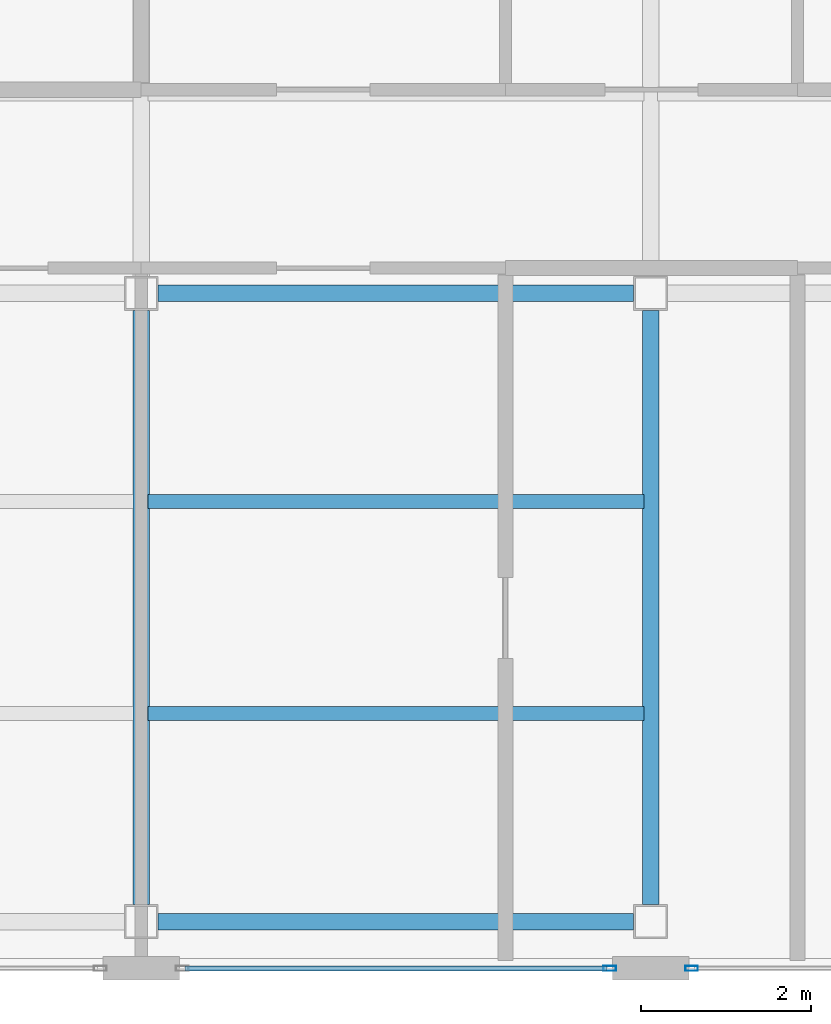
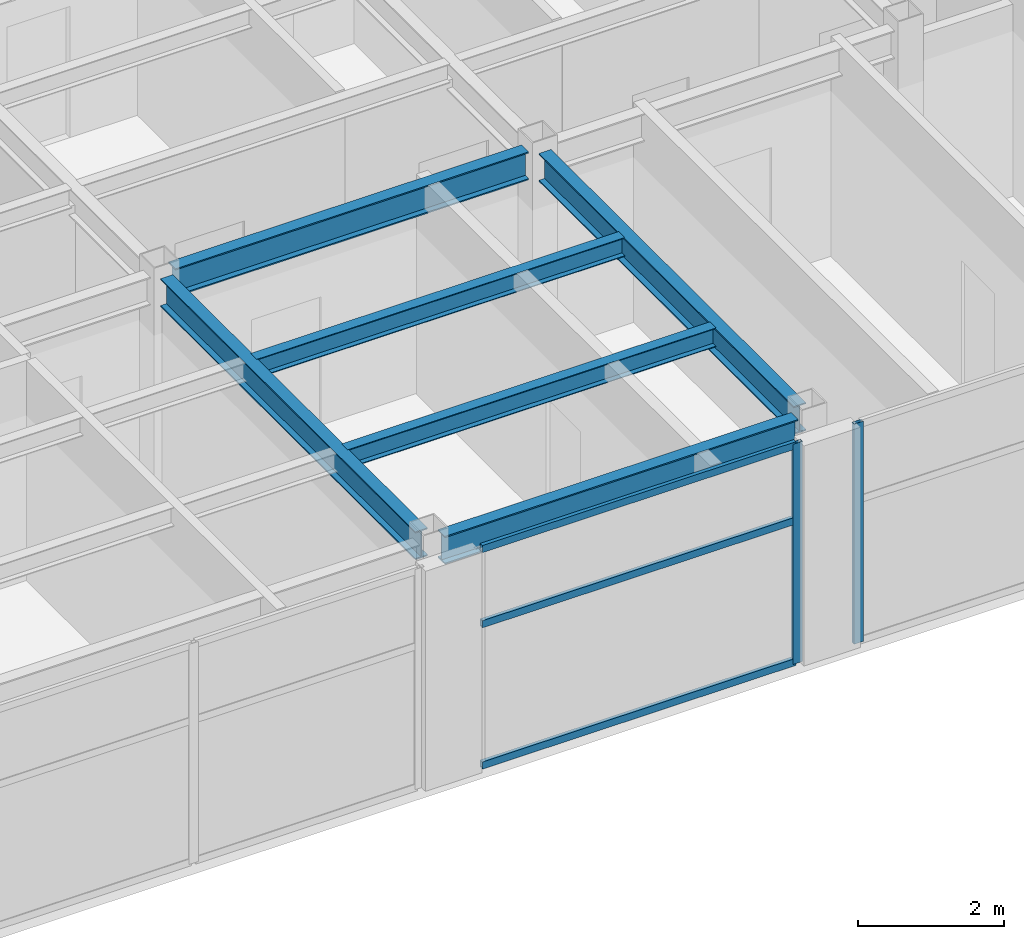
# One storey, part 5 of 15: 6 beams, 5 members, 2 elements without a shape of their own.
"""IFC4 building model written with IfcOpenShell, lengths in metres."""

import ifcopenshell
import ifcopenshell.guid

model = None  # the IFC model being written
_history = None  # IfcOwnerHistory: only IFC2X3 demands one
_inside = {}  # id of a spatial element -> (the spatial element, [elements in it])
_under = {}  # id of a project, library or spatial element -> (it, [spatial elements below it])
_declared = {}  # id of a project -> (the project, [libraries it declares])
_typed = {}  # id of a type object -> (the type object, [elements of that type])
_made_of = {}  # id of a material, layer set ... -> (it, [elements and type objects made of it])


def new_model(schema):
    """Start an empty IFC model of exactly this schema.

    Asked for "IFC4X3", IfcOpenShell would pick the latest addendum, in which some entities
    have other attributes; the version numbers below select the first issue.
    IFC2X3 requires an IfcOwnerHistory on every rooted entity: one is made here for all.
    """
    global model, _history
    if schema == "IFC4X3":
        model = ifcopenshell.file(schema_version=(4, 3, 0, 0))
    else:
        model = ifcopenshell.file(schema=schema)
    _inside.clear()
    _under.clear()
    _declared.clear()
    _typed.clear()
    _made_of.clear()
    _history = None
    if model.schema == "IFC2X3":
        org = make("IfcOrganization", Name="unknown")
        user = make(
            "IfcPersonAndOrganization",
            ThePerson=make("IfcPerson", FamilyName="unknown"),
            TheOrganization=org,
        )
        app = make(
            "IfcApplication",
            ApplicationDeveloper=org,
            Version="unknown",
            ApplicationFullName="unknown",
            ApplicationIdentifier="unknown",
        )
        _history = make(
            "IfcOwnerHistory",
            OwningUser=user,
            OwningApplication=app,
            ChangeAction="ADDED",
            CreationDate=0,
        )
    return model


def make(cls, **values):
    """One entity of the class cls with the attributes given. An attribute that is None is left unset."""
    return model.create_entity(
        cls, **{name: value for name, value in values.items() if value is not None}
    )


def rooted(cls, **values):
    """An entity with a GlobalId (a new one), such as an element, a storey or a relation."""
    return make(cls, GlobalId=ifcopenshell.guid.new(), OwnerHistory=_history, **values)


def si_unit(unit_type, name, prefix=None):
    """IfcSIUnit, for example si_unit("LENGTHUNIT", "METRE", prefix="MILLI")."""
    return make("IfcSIUnit", UnitType=unit_type, Prefix=prefix, Name=name)


def assignment(units):
    """IfcUnitAssignment: the units of a project."""
    return None if units is None else make("IfcUnitAssignment", Units=units)


def point(xyz):
    """IfcCartesianPoint."""
    return None if xyz is None else make("IfcCartesianPoint", Coordinates=xyz)


def direction(xyz):
    """IfcDirection."""
    return None if xyz is None else make("IfcDirection", DirectionRatios=xyz)


def frame(location, z_axis=None, x_axis=None):
    """IfcAxis2Placement3D, a coordinate frame: its origin and axes. An axis left out is left unset."""
    return make(
        "IfcAxis2Placement3D",
        Location=point(location),
        Axis=direction(z_axis),
        RefDirection=direction(x_axis),
    )


def frame_2d(location, x_axis=None):
    """IfcAxis2Placement2D, a coordinate frame in the plane: its origin and x axis."""
    return make(
        "IfcAxis2Placement2D", Location=point(location), RefDirection=direction(x_axis)
    )


def origin():
    """The frame at (0, 0, 0) with its axes left unset."""
    return frame((0.0, 0.0, 0.0))


def origin_2d():
    """The frame at (0, 0) in the plane with its x axis left unset."""
    return frame_2d((0.0, 0.0))


def place(relative_to, where):
    """IfcLocalPlacement: puts the frame where relative to a parent placement (None: the world)."""
    return make(
        "IfcLocalPlacement", PlacementRelTo=relative_to, RelativePlacement=where
    )


def context(
    kind, dimensions, precision=None, world=None, true_north=None, identifier=None
):
    """IfcGeometricRepresentationContext, for example the 3D "Model" context."""
    return make(
        "IfcGeometricRepresentationContext",
        ContextIdentifier=identifier,
        ContextType=kind,
        CoordinateSpaceDimension=dimensions,
        Precision=precision,
        WorldCoordinateSystem=world,
        TrueNorth=true_north,
    )


def subcontext(parent, identifier, kind, view, scale=None):
    """IfcGeometricRepresentationSubContext, for example "Body" below "Model"."""
    return make(
        "IfcGeometricRepresentationSubContext",
        ContextIdentifier=identifier,
        ContextType=kind,
        ParentContext=parent,
        TargetScale=scale,
        TargetView=view,
    )


def project(units=None, contexts=None):
    """IfcProject with its units and contexts."""
    return rooted(
        "IfcProject",
        Name="project",
        RepresentationContexts=contexts,
        UnitsInContext=assignment(units),
    )


def spatial(cls, under=None, at=None, **own):
    """A site, building, storey or space (cls), placed at a placement, below another one or the project."""
    s = rooted(cls, ObjectPlacement=at, **own)
    if under is not None:
        _under.setdefault(under.id(), (under, []))[1].append(s)
    return s


def profile(cls, at=None, kind="AREA", **sizes):
    """A parametric profile (cls). Its sizes go by their IFC names, for example OverallWidth=200.0."""
    return make(cls, ProfileType=kind, Position=at, **sizes)


def hollow_rectangle(**sizes):
    """IfcRectangleHollowProfileDef."""
    return profile("IfcRectangleHollowProfileDef", **sizes)


def i_section(**sizes):
    """IfcIShapeProfileDef."""
    return profile("IfcIShapeProfileDef", **sizes)


def extrude(swept, where, along, depth):
    """IfcExtrudedAreaSolid: the profile swept, set in the frame where, extruded along a direction by depth."""
    return make(
        "IfcExtrudedAreaSolid",
        SweptArea=swept,
        Position=where,
        ExtrudedDirection=direction(along),
        Depth=depth,
    )


def shape(context_of_items, identifier, shape_type, items):
    """IfcShapeRepresentation: the items that make up one representation, for example the "Body"."""
    return make(
        "IfcShapeRepresentation",
        ContextOfItems=context_of_items,
        RepresentationIdentifier=identifier,
        RepresentationType=shape_type,
        Items=items,
    )


def material(Name=None, Category=None):
    """IfcMaterial."""
    return make("IfcMaterial", Name=Name, Category=Category)


def layer(
    of_material, thickness, ventilated=None, Name=None, Category=None, Priority=None
):
    """IfcMaterialLayer: one layer of a wall or slab, of a material (None: an air gap)."""
    return make(
        "IfcMaterialLayer",
        Material=of_material,
        LayerThickness=thickness,
        IsVentilated=ventilated,
        Name=Name,
        Category=Category,
        Priority=Priority,
    )


def layer_set(layers, Name=None):
    """IfcMaterialLayerSet."""
    return make("IfcMaterialLayerSet", MaterialLayers=layers, LayerSetName=Name)


def material_profile(
    of_material, cross_section, Name=None, Category=None, Priority=None
):
    """IfcMaterialProfile: a cross section and its material."""
    return make(
        "IfcMaterialProfile",
        Name=Name,
        Material=of_material,
        Profile=cross_section,
        Priority=Priority,
        Category=Category,
    )


def profile_set(profiles, Name=None, composite=None):
    """IfcMaterialProfileSet."""
    return make(
        "IfcMaterialProfileSet",
        Name=Name,
        MaterialProfiles=profiles,
        CompositeProfile=composite,
    )


def made_of(thing, what):
    """Note that an element or type object is made of a material, layer set ...; save() writes the relation."""
    if what is not None:
        _made_of.setdefault(what.id(), (what, []))[1].append(thing)
    return thing


def type_object(cls, material=None, **own):
    """A type object (cls), such as IfcWallType, which elements share."""
    return made_of(rooted(cls, **own), material)


def element(
    cls,
    number,
    at=None,
    inside=None,
    cuts=None,
    type_object=None,
    material=None,
    context=None,
    identifier="Body",
    shape_type=None,
    held_by="IfcProductDefinitionShape",
    body=None,
    shapes=None,
    **own,
):
    """One element of the class cls, such as IfcWall. Its Tag is "e" and its number.

    at: its placement. inside: the storey or other place that contains it. cuts: it is an
    opening in that element (IfcRelVoidsElement). A single representation is given by context,
    identifier, shape_type and body (its items); several are given by shapes. held_by: the class
    of the entity that holds the representations. save() writes the other relations.
    """
    e = rooted(cls, Tag="e%d" % number, ObjectPlacement=at, **own)
    if body is not None:
        shapes = [shape(context, identifier, shape_type, body)]
    if shapes is not None:
        e.Representation = make(held_by, Representations=shapes)
    if inside is not None:
        _inside.setdefault(inside.id(), (inside, []))[1].append(e)
    if cuts is not None:
        rooted(
            "IfcRelVoidsElement", RelatingBuildingElement=cuts, RelatedOpeningElement=e
        )
    if type_object is not None:
        _typed.setdefault(type_object.id(), (type_object, []))[1].append(e)
    return made_of(e, material)


def aggregate(whole, parts):
    """IfcRelAggregates: a whole, such as a stair, and the parts it consists of."""
    return rooted("IfcRelAggregates", RelatingObject=whole, RelatedObjects=parts)


def save(model, path):
    """Write the relations noted so far, then the file.

    IfcRelAggregates (storeys below a building ...), IfcRelContainedInSpatialStructure (elements
    in a storey), IfcRelDefinesByType, IfcRelAssociatesMaterial and IfcRelDeclares: one each for
    every whole, place, type object, material and project.
    """
    for whole, parts in _under.values():
        aggregate(whole, parts)
    for where, things in _inside.values():
        rooted(
            "IfcRelContainedInSpatialStructure",
            RelatedElements=things,
            RelatingStructure=where,
        )
    for kind, things in _typed.values():
        rooted("IfcRelDefinesByType", RelatedObjects=things, RelatingType=kind)
    for what, things in _made_of.values():
        rooted("IfcRelAssociatesMaterial", RelatedObjects=things, RelatingMaterial=what)
    for by, libraries in _declared.values():
        rooted("IfcRelDeclares", RelatingContext=by, RelatedDefinitions=libraries)
    model.write(path)


model = new_model("IFC4")

# Units and contexts
model_context = context("Model", 3, precision=1e-05, world=origin(), true_north=direction((0.0, 1.0)))
body_context = subcontext(model_context, "Body", "Model", "MODEL_VIEW")
ifc_project = project(units=[si_unit("LENGTHUNIT", "METRE"), si_unit("AREAUNIT", "SQUARE_METRE"), si_unit("VOLUMEUNIT", "CUBIC_METRE"), si_unit("PLANEANGLEUNIT", "RADIAN"), si_unit("MASSUNIT", "GRAM", prefix="KILO")], contexts=[model_context])

# Site, building, storey
site_placement = place(None, origin())
site = spatial("IfcSite", under=ifc_project, at=site_placement, CompositionType="ELEMENT")
building_placement = place(site_placement, origin())
building = spatial("IfcBuilding", under=site, at=building_placement, Name="Mawjaban Terraces University", CompositionType="ELEMENT")
storey_placement = place(building_placement, frame((0.0, 0.0, 279.39990234375)))
storey = spatial("IfcBuildingStorey", under=building, at=storey_placement, Name="L68", CompositionType="ELEMENT", Elevation=279.39990234375)

# Beams
ifc_material_1 = material(Name="Steel ASTM A572 Grade 50", Category="steel")
ifc_material_profile_1 = material_profile(ifc_material_1, i_section(OverallWidth=0.194091796875, OverallDepth=0.468994140625, WebThickness=0.011474609375, FlangeThickness=0.0205078125, at=origin_2d()), Name="W460X106")
ifc_profile_set_1 = profile_set([ifc_material_profile_1], Name="Steel ASTM A572 Grade 50")
beam_type_1 = type_object("IfcBeamType", Name="Beam_B_W460X106", PredefinedType="BEAM", material=ifc_profile_set_1)
for number, where, z_axis, x_axis, name in (
    (1, (46.199951171875, 0.550048828125, 3.455078125), (1.0, 0.0, 0.0), (0.0, 1.0, 0.0), "L68 Beam BM-L68-EW-02"),
    (2, (46.199951171875, 7.949951171875, 3.455078125), (1.0, 0.0, 0.0), (0.0, 1.0, 0.0), "L68 Beam BM-L68-EW-04"),
):
    element("IfcBeam", number, at=place(storey_placement, frame(where, z_axis=z_axis, x_axis=x_axis)), inside=storey, type_object=beam_type_1, Name=name, PredefinedType="BEAM", context=body_context, shape_type="SweptSolid", body=[
        extrude(i_section(OverallWidth=0.194091796875, OverallDepth=0.468994140625, WebThickness=0.011474609375, FlangeThickness=0.0205078125, at=origin_2d()), origin(), (0.0, 0.0, 1.0), 5.60009765625),
    ])
for number, where, z_axis, x_axis, name in (
    (3, (46.0, 0.75, 3.455078125), (0.0, 1.0, 0.0), (-1.0, 0.0, 0.0), "L68 Beam BM-L68-NS-08"),
    (4, (52.0, 0.75, 3.455078125), (0.0, 1.0, 0.0), (-1.0, 0.0, 0.0), "L68 Beam BM-L68-NS-10"),
):
    element("IfcBeam", number, at=place(storey_placement, frame(where, z_axis=z_axis, x_axis=x_axis)), inside=storey, type_object=beam_type_1, Name=name, PredefinedType="BEAM", context=body_context, shape_type="SweptSolid", body=[
        extrude(i_section(OverallWidth=0.194091796875, OverallDepth=0.468994140625, WebThickness=0.011474609375, FlangeThickness=0.0205078125, at=origin_2d()), origin(), (0.0, 0.0, 1.0), 7.0),
    ])
ifc_material_profile_2 = material_profile(ifc_material_1, i_section(OverallWidth=0.1669921875, OverallDepth=0.318115234375, WebThickness=0.007568359375, FlangeThickness=0.01318359375, at=origin_2d()), Name="W310X52")
ifc_profile_set_2 = profile_set([ifc_material_profile_2], Name="Steel ASTM A572 Grade 50")
beam_type_2 = type_object("IfcBeamType", Name="Beam_J_W310X52", PredefinedType="JOIST", material=ifc_profile_set_2)
for number, where, z_axis, x_axis, name in (
    (5, (46.080078125, 3.0, 3.531005859375), (1.0, 0.0, 0.0), (0.0, 1.0, 0.0), "L68 Composite Joist JST-L68-02"),
    (6, (46.080078125, 5.5, 3.531005859375), (1.0, 0.0, 0.0), (0.0, 1.0, 0.0), "L68 Composite Joist JST-L68-04"),
):
    element("IfcBeam", number, at=place(storey_placement, frame(where, z_axis=z_axis, x_axis=x_axis)), inside=storey, type_object=beam_type_2, Name=name, PredefinedType="JOIST", context=body_context, shape_type="SweptSolid", body=[
        extrude(i_section(OverallWidth=0.1669921875, OverallDepth=0.318115234375, WebThickness=0.007568359375, FlangeThickness=0.01318359375, at=origin_2d()), origin(), (0.0, 0.0, 1.0), 5.83984375),
    ])

# Curtain wall, member
ifc_material_2 = material(Name="Anodised aluminium 6063-T6 and solar-control low-E glass", Category="aluminium")
ifc_layer = layer(ifc_material_2, 0.159912109375)
ifc_layer_set = layer_set([ifc_layer], Name="Anodised aluminium 6063-T6 and solar-control low-E glass")
curtain_wall_type = type_object("IfcCurtainWallType", Name="CWSystem_03_NorthWing", PredefinedType="NOTDEFINED", material=ifc_layer_set)
curtain_wall_1_placement = place(storey_placement, origin())
curtain_wall_1 = element("IfcCurtainWall", 7, at=curtain_wall_1_placement, inside=storey, type_object=curtain_wall_type, Name="L68 Curtain Wall CW-03 Run 1.4", PredefinedType="NOTDEFINED")
ifc_material_3 = material(Name="Anodised aluminium 6063-T6", Category="aluminium")
ifc_material_profile_3 = material_profile(ifc_material_3, hollow_rectangle(XDim=0.06005859375, YDim=0.14990234375, WallThickness=0.00390625, at=origin_2d()), Name="ALU150X60X4")
ifc_profile_set_3 = profile_set([ifc_material_profile_3], Name="Anodised aluminium 6063-T6")
member_type_1 = type_object("IfcMemberType", Name="Mullion_CW-03", PredefinedType="MULLION", material=ifc_profile_set_3)
member_1_placement = place(storey_placement, frame((51.517578125, 0.0, 0.0), z_axis=(0.0, 0.0, 1.0), x_axis=(0.0, 1.0, 0.0)))
member_1 = element("IfcMember", 8, at=member_1_placement, type_object=member_type_1, Name="CW-03 mullion 2", PredefinedType="MULLION", context=body_context, shape_type="SweptSolid", body=[
    extrude(hollow_rectangle(XDim=0.06005859375, YDim=0.14990234375, WallThickness=0.00390625, at=origin_2d()), origin(), (0.0, 0.0, 1.0), 3.690185546875),
])

curtain_wall_2_placement = place(storey_placement, origin())
curtain_wall_2 = element("IfcCurtainWall", 9, at=curtain_wall_2_placement, inside=storey, type_object=curtain_wall_type, Name="L68 Curtain Wall CW-03 Run 1.5", PredefinedType="NOTDEFINED")
member_2_placement = place(storey_placement, frame((52.482421875, 0.0, 0.0), z_axis=(0.0, 0.0, 1.0), x_axis=(0.0, 1.0, 0.0)))
member_2 = element("IfcMember", 10, at=member_2_placement, type_object=member_type_1, Name="CW-03 mullion 1", PredefinedType="MULLION", context=body_context, shape_type="SweptSolid", body=[
    extrude(hollow_rectangle(XDim=0.06005859375, YDim=0.14990234375, WallThickness=0.00390625, at=origin_2d()), origin(), (0.0, 0.0, 1.0), 3.690185546875),
])
aggregate(curtain_wall_2, [member_2])

# Member
ifc_material_profile_4 = material_profile(ifc_material_3, hollow_rectangle(XDim=0.06005859375, YDim=0.1201171875, WallThickness=0.00341796875, at=origin_2d()), Name="ALU120X60X3.5")
ifc_profile_set_4 = profile_set([ifc_material_profile_4], Name="Anodised aluminium 6063-T6")
member_type_2 = type_object("IfcMemberType", Name="Transom_CW-03", PredefinedType="NOTDEFINED", material=ifc_profile_set_4)
member_3_placement = place(storey_placement, frame((46.514892578125, 0.0, 0.030029296875), z_axis=(1.0, 0.0, 0.0), x_axis=(0.0, 1.0, 0.0)))
member_3 = element("IfcMember", 11, at=member_3_placement, type_object=member_type_2, Name="CW-03 transom 1.1", ObjectType="TRANSOM", PredefinedType="USERDEFINED", context=body_context, shape_type="SweptSolid", body=[
    extrude(hollow_rectangle(XDim=0.06005859375, YDim=0.1201171875, WallThickness=0.00341796875, at=origin_2d()), origin(), (0.0, 0.0, 1.0), 4.97021484375),
])

member_4_placement = place(storey_placement, frame((46.514892578125, 0.0, 2.398193359375), z_axis=(1.0, 0.0, 0.0), x_axis=(0.0, 1.0, 0.0)))
member_4 = element("IfcMember", 12, at=member_4_placement, type_object=member_type_2, Name="CW-03 transom 1.2", ObjectType="TRANSOM", PredefinedType="USERDEFINED", context=body_context, shape_type="SweptSolid", body=[
    extrude(hollow_rectangle(XDim=0.06005859375, YDim=0.1201171875, WallThickness=0.00341796875, at=origin_2d()), origin(), (0.0, 0.0, 1.0), 4.97021484375),
])

member_5_placement = place(storey_placement, frame((46.514892578125, 0.0, 3.66015625), z_axis=(1.0, 0.0, 0.0), x_axis=(0.0, 1.0, 0.0)))
member_5 = element("IfcMember", 13, at=member_5_placement, type_object=member_type_2, Name="CW-03 transom 1.3", ObjectType="TRANSOM", PredefinedType="USERDEFINED", context=body_context, shape_type="SweptSolid", body=[
    extrude(hollow_rectangle(XDim=0.06005859375, YDim=0.1201171875, WallThickness=0.00341796875, at=origin_2d()), origin(), (0.0, 0.0, 1.0), 4.97021484375),
])

aggregate(curtain_wall_1, [member_1, member_3, member_4, member_5])

save(model, "model.ifc")
